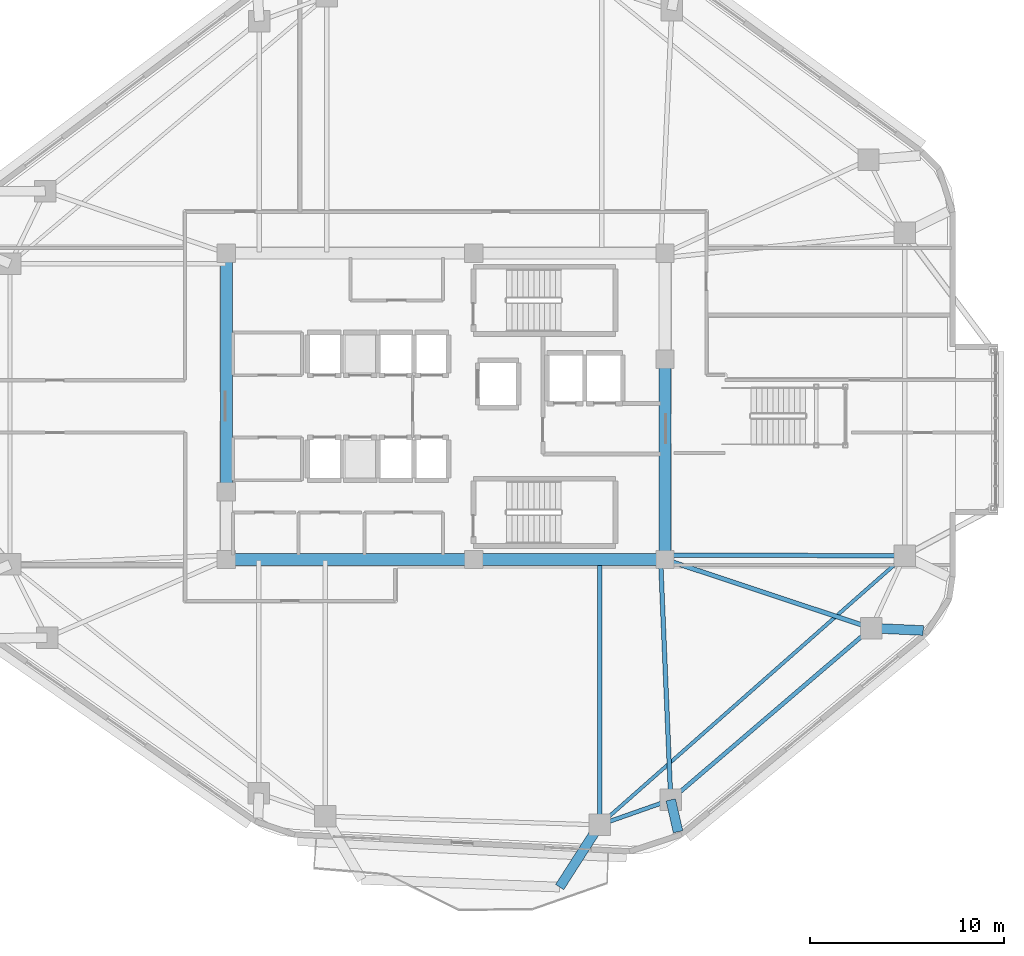
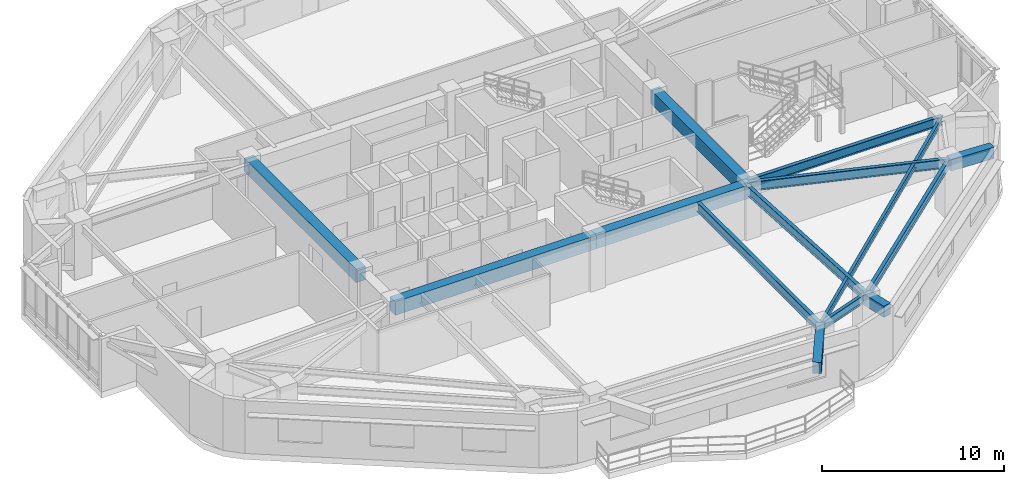
# One storey, part 4 of 16: 14 beams.
"""IFC4 building model written with IfcOpenShell, lengths in metres."""

from ifc_helpers import new_model, si_unit, direction, frame, origin, origin_2d, place, context, subcontext, project, spatial, rectangle, i_section, extrude, material, material_profile, profile_set, type_object, element, save


model = new_model("IFC4")

# Units and contexts
model_context = context("Model", 3, precision=1e-05, world=origin(), true_north=direction((0.0, 1.0)))
body_context = subcontext(model_context, "Body", "Model", "MODEL_VIEW")
ifc_project = project(units=[si_unit("LENGTHUNIT", "METRE"), si_unit("AREAUNIT", "SQUARE_METRE"), si_unit("VOLUMEUNIT", "CUBIC_METRE"), si_unit("PLANEANGLEUNIT", "RADIAN"), si_unit("MASSUNIT", "GRAM", prefix="KILO")], contexts=[model_context])

# Site, building, storey
site_placement = place(None, origin())
site = spatial("IfcSite", under=ifc_project, at=site_placement, CompositionType="ELEMENT")
building_placement = place(site_placement, origin())
building = spatial("IfcBuilding", under=site, at=building_placement, Name="Zulverin Broadcast Headquarters", CompositionType="ELEMENT")
storey_placement = place(building_placement, frame((0.0, 0.0, 125.0)))
storey = spatial("IfcBuildingStorey", under=building, at=storey_placement, Name="L31", CompositionType="ELEMENT", Elevation=125.0)

# Beams
ifc_material_1 = material(Name="Concrete C60/75", Category="concrete")
ifc_material_profile_1 = material_profile(ifc_material_1, rectangle(XDim=0.60009765625, YDim=0.89990234375, at=origin_2d()), Name="Concrete C60/75", Category="concrete")
ifc_profile_set_1 = profile_set([ifc_material_profile_1], Name="Concrete C60/75")
beam_type_1 = type_object("IfcBeamType", Name="BM-CB-600x900", PredefinedType="LINTEL", material=ifc_profile_set_1)
beam_1_placement = place(storey_placement, frame((25.72509765625, 17.324951171875, 3.090087890625), z_axis=(1.0, 0.0, 0.0), x_axis=(0.0, 1.0, 0.0)))
element("IfcBeam", 1, at=beam_1_placement, inside=storey, type_object=beam_type_1, Name="L31 Core Coupling Girder K01-K02", PredefinedType="LINTEL", context=body_context, shape_type="SweptSolid", body=[
    extrude(rectangle(XDim=0.60009765625, YDim=0.89990234375, at=origin_2d()), origin(), (0.0, 0.0, 1.0), 12.724853515625),
])
beam_2_placement = place(storey_placement, frame((38.449951171875, 17.324951171875, 3.090087890625), z_axis=(1.0, 0.0, 0.0), x_axis=(0.0, 1.0, 0.0)))
element("IfcBeam", 2, at=beam_2_placement, inside=storey, type_object=beam_type_1, Name="L31 Core Coupling Girder K02-K03", PredefinedType="LINTEL", context=body_context, shape_type="SweptSolid", body=[
    extrude(rectangle(XDim=0.60009765625, YDim=0.89990234375, at=origin_2d()), origin(), (0.0, 0.0, 1.0), 9.824951171875),
])
beam_3_placement = place(storey_placement, frame((48.27490234375, 17.324951171875, 3.090087890625), z_axis=(0.0, 1.0, 0.0), x_axis=(-1.0, 0.0, 0.0)))
element("IfcBeam", 3, at=beam_3_placement, inside=storey, type_object=beam_type_1, Name="L31 Core Coupling Girder K03-K04", PredefinedType="LINTEL", context=body_context, shape_type="SweptSolid", body=[
    extrude(rectangle(XDim=0.60009765625, YDim=0.89990234375, at=origin_2d()), origin(), (0.0, 0.0, 1.0), 10.295166015625),
])
beam_4_placement = place(storey_placement, frame((25.72509765625, 33.074951171875, 3.090087890625), z_axis=(0.0, -1.0, 0.0), x_axis=(1.0, 0.0, 0.0)))
element("IfcBeam", 4, at=beam_4_placement, inside=storey, type_object=beam_type_1, Name="L31 Core Coupling Girder K07-K08", PredefinedType="LINTEL", context=body_context, shape_type="SweptSolid", body=[
    extrude(rectangle(XDim=0.60009765625, YDim=0.89990234375, at=origin_2d()), origin(), (0.0, 0.0, 1.0), 12.27490234375),
])
ifc_material_2 = material(Name="Concrete C40/50", Category="concrete")
ifc_material_profile_2 = material_profile(ifc_material_2, rectangle(XDim=0.5, YDim=0.75, at=origin_2d()), Name="Concrete C40/50", Category="concrete")
ifc_profile_set_2 = profile_set([ifc_material_profile_2], Name="Concrete C40/50")
beam_type_2 = type_object("IfcBeamType", Name="BM-RC-500x750", PredefinedType="BEAM", material=ifc_profile_set_2)
beam_5_placement = place(storey_placement, frame((48.569580078125, 4.967041015625, 3.1650390625), z_axis=(0.224096721795, -0.974566908571, 0.0), x_axis=(0.974566908571, 0.224096721795, 0.0)))
element("IfcBeam", 5, at=beam_5_placement, inside=storey, type_object=beam_type_2, Name="L32 Plate Overhang Back-Spanned Beam OVR-03", PredefinedType="BEAM", context=body_context, shape_type="SweptSolid", body=[
    extrude(rectangle(XDim=0.5, YDim=0.75, at=origin_2d()), origin(), (0.0, 0.0, 1.0), 1.68310546875),
])
beam_6_placement = place(storey_placement, frame((58.886962890625, 13.798095703125, 3.1650390625), z_axis=(0.998923539617, -0.046387088715, 0.0), x_axis=(0.046387088715, 0.998923539617, 0.0)))
element("IfcBeam", 6, at=beam_6_placement, inside=storey, type_object=beam_type_2, Name="L32 Plate Overhang Back-Spanned Beam OVR-04", PredefinedType="BEAM", context=body_context, shape_type="SweptSolid", body=[
    extrude(rectangle(XDim=0.5, YDim=0.75, at=origin_2d()), origin(), (0.0, 0.0, 1.0), 2.66845703125),
])
beam_7_placement = place(storey_placement, frame((44.909912109375, 3.68017578125, 3.1650390625), z_axis=(-0.53993580069, -0.841706202385, 0.0), x_axis=(0.841706202385, -0.53993580069, 0.0)))
element("IfcBeam", 7, at=beam_7_placement, inside=storey, type_object=beam_type_2, Name="L32 Balcony Column-Framed Cantilever BAL_S-2", PredefinedType="BEAM", context=body_context, shape_type="SweptSolid", body=[
    extrude(rectangle(XDim=0.5, YDim=0.75, at=origin_2d()), origin(), (0.0, 0.0, 1.0), 3.800048828125),
])
ifc_material_3 = material(Name="Structural steel S355JR", Category="steel")
ifc_material_profile_3 = material_profile(ifc_material_3, i_section(OverallWidth=0.179443359375, OverallDepth=0.412841796875, WebThickness=0.009521484375, FlangeThickness=0.01611328125, at=origin_2d()), Name="Structural steel S355JR", Category="steel")
ifc_profile_set_3 = profile_set([ifc_material_profile_3], Name="Structural steel S355JR")
beam_type_3 = type_object("IfcBeamType", Name="BM-UB-406", PredefinedType="JOIST", material=ifc_profile_set_3)
beam_8_placement = place(storey_placement, frame((44.909912109375, 3.68017578125, 3.33349609375), z_axis=(0.74996043981, 0.661482682102, 0.0), x_axis=(-0.661482682102, 0.74996043981, 0.0)))
element("IfcBeam", 8, at=beam_8_placement, inside=storey, type_object=beam_type_3, Name="L31 Chordal Floor Joist J-01", PredefinedType="JOIST", context=body_context, shape_type="SweptSolid", body=[
    extrude(i_section(OverallWidth=0.179443359375, OverallDepth=0.412841796875, WebThickness=0.009521484375, FlangeThickness=0.01611328125, at=origin_2d()), origin(), (0.0, 0.0, 1.0), 20.92138671875),
])
ifc_material_profile_4 = material_profile(ifc_material_3, i_section(OverallWidth=0.2119140625, OverallDepth=0.54443359375, WebThickness=0.0126953125, FlangeThickness=0.021240234375, at=origin_2d()), Name="Structural steel S355JR", Category="steel")
ifc_profile_set_4 = profile_set([ifc_material_profile_4], Name="Structural steel S355JR")
beam_type_4 = type_object("IfcBeamType", Name="BM-UB-533", PredefinedType="SPANDREL", material=ifc_profile_set_4)
beam_9_placement = place(storey_placement, frame((44.909912109375, 3.68017578125, 3.267578125), z_axis=(0.943376593622, 0.331723684121, 0.0), x_axis=(-0.331723684121, 0.943376593622, 0.0)))
element("IfcBeam", 9, at=beam_9_placement, inside=storey, type_object=beam_type_4, Name="L31 Perimeter Spandrel Beam SP-02", PredefinedType="SPANDREL", context=body_context, shape_type="SweptSolid", body=[
    extrude(i_section(OverallWidth=0.2119140625, OverallDepth=0.54443359375, WebThickness=0.0126953125, FlangeThickness=0.021240234375, at=origin_2d()), origin(), (0.0, 0.0, 1.0), 3.87939453125),
])
beam_10_placement = place(storey_placement, frame((48.569580078125, 4.967041015625, 3.267578125), z_axis=(0.759708170965, 0.650264173217, 0.0), x_axis=(-0.650264173217, 0.759708170965, 0.0)))
element("IfcBeam", 10, at=beam_10_placement, inside=storey, type_object=beam_type_4, Name="L31 Perimeter Spandrel Beam SP-03", PredefinedType="SPANDREL", context=body_context, shape_type="SweptSolid", body=[
    extrude(i_section(OverallWidth=0.2119140625, OverallDepth=0.54443359375, WebThickness=0.0126953125, FlangeThickness=0.021240234375, at=origin_2d()), origin(), (0.0, 0.0, 1.0), 13.580810546875),
])
ifc_material_profile_5 = material_profile(ifc_material_3, i_section(OverallWidth=0.230224609375, OverallDepth=0.6171875, WebThickness=0.01318359375, FlangeThickness=0.022216796875, at=origin_2d()), Name="Structural steel S355JR", Category="steel")
ifc_profile_set_5 = profile_set([ifc_material_profile_5], Name="Structural steel S355JR")
beam_type_5 = type_object("IfcBeamType", Name="BM-UB-610", PredefinedType="BEAM", material=ifc_profile_set_5)
beam_11_placement = place(storey_placement, frame((44.909912109375, 17.27490234375, 3.2314453125), z_axis=(0.0, -1.0, 0.0), x_axis=(1.0, 0.0, 0.0)))
element("IfcBeam", 11, at=beam_11_placement, inside=storey, type_object=beam_type_5, Name="L31 Radial Primary Floor Beam RB-02", PredefinedType="BEAM", context=body_context, shape_type="SweptSolid", body=[
    extrude(i_section(OverallWidth=0.230224609375, OverallDepth=0.6171875, WebThickness=0.01318359375, FlangeThickness=0.022216796875, at=origin_2d()), origin(), (0.0, 0.0, 1.0), 13.5947265625),
])
beam_12_placement = place(storey_placement, frame((48.050048828125, 17.27490234375, 3.2314453125), z_axis=(0.042173778549, -0.99911029041, 0.0), x_axis=(0.99911029041, 0.042173778549, 0.0)))
element("IfcBeam", 12, at=beam_12_placement, inside=storey, type_object=beam_type_5, Name="L31 Radial Primary Floor Beam RB-03", PredefinedType="BEAM", context=body_context, shape_type="SweptSolid", body=[
    extrude(i_section(OverallWidth=0.230224609375, OverallDepth=0.6171875, WebThickness=0.01318359375, FlangeThickness=0.022216796875, at=origin_2d()), origin(), (0.0, 0.0, 1.0), 12.31884765625),
])
beam_13_placement = place(storey_placement, frame((48.27490234375, 17.324951171875, 3.2314453125), z_axis=(0.948964552547, -0.315382748432, 0.0), x_axis=(0.315382748432, 0.948964552547, 0.0)))
element("IfcBeam", 13, at=beam_13_placement, inside=storey, type_object=beam_type_5, Name="L31 Radial Primary Floor Beam RB-04", PredefinedType="BEAM", context=body_context, shape_type="SweptSolid", body=[
    extrude(i_section(OverallWidth=0.230224609375, OverallDepth=0.6171875, WebThickness=0.01318359375, FlangeThickness=0.022216796875, at=origin_2d()), origin(), (0.0, 0.0, 1.0), 11.182861328125),
])
beam_14_placement = place(storey_placement, frame((48.324951171875, 17.550048828125, 3.2314453125), z_axis=(0.999996859956, -0.002506008559, 0.0), x_axis=(0.002506008559, 0.999996859956, 0.0)))
element("IfcBeam", 14, at=beam_14_placement, inside=storey, type_object=beam_type_5, Name="L31 Radial Primary Floor Beam RB-05", PredefinedType="BEAM", context=body_context, shape_type="SweptSolid", body=[
    extrude(i_section(OverallWidth=0.230224609375, OverallDepth=0.6171875, WebThickness=0.01318359375, FlangeThickness=0.022216796875, at=origin_2d()), origin(), (0.0, 0.0, 1.0), 12.275146484375),
])

save(model, "model.ifc")
